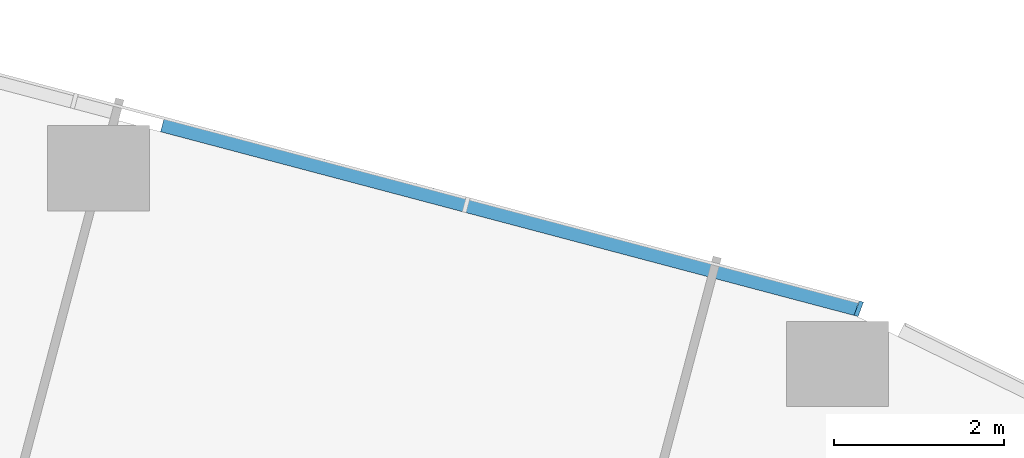
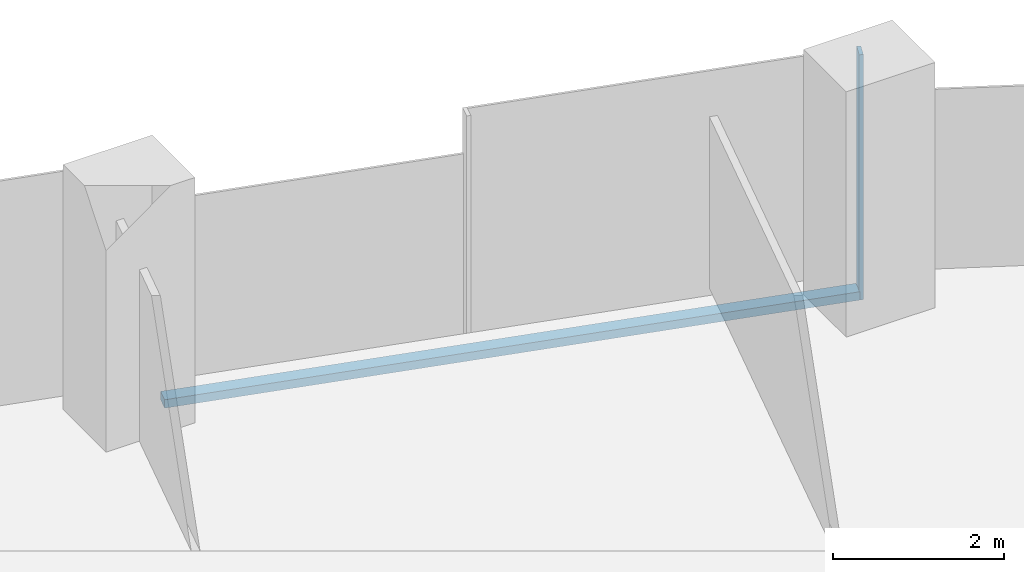
# One storey, part 15 of 35: 2 members, 2 elements without a shape of their own.
"""IFC4 building model written with IfcOpenShell, lengths in metres."""

from ifc_helpers import new_model, si_unit, direction, frame, origin, origin_2d, place, context, subcontext, project, spatial, rectangle, extrude, material, material_profile, profile_set, type_object, element, aggregate, save


model = new_model("IFC4")

# Units and contexts
model_context = context("Model", 3, precision=1e-05, world=origin(), true_north=direction((0.0, 1.0)))
body_context = subcontext(model_context, "Body", "Model", "MODEL_VIEW")
ifc_project = project(units=[si_unit("LENGTHUNIT", "METRE"), si_unit("AREAUNIT", "SQUARE_METRE"), si_unit("VOLUMEUNIT", "CUBIC_METRE"), si_unit("PLANEANGLEUNIT", "RADIAN"), si_unit("MASSUNIT", "GRAM", prefix="KILO")], contexts=[model_context])

# Site, building, storey
site_placement = place(None, origin())
site = spatial("IfcSite", under=ifc_project, at=site_placement, CompositionType="ELEMENT")
building_placement = place(site_placement, origin())
building = spatial("IfcBuilding", under=site, at=building_placement, Name="Orlundy Tower", CompositionType="ELEMENT")
storey_placement = place(building_placement, frame((0.0, 0.0, 116.199951171875)))
storey = spatial("IfcBuildingStorey", under=building, at=storey_placement, Name="L29", CompositionType="ELEMENT", Elevation=116.199951171875)

# Curtain wall, member
ifc_material_1 = material(Name="Aluminium bronze anodised", Category="aluminium")
curtain_wall_type = type_object("IfcCurtainWallType", Name="CW1 wall", PredefinedType="NOTDEFINED", material=ifc_material_1)
curtain_wall_1_placement = place(storey_placement, origin())
curtain_wall_1 = element("IfcCurtainWall", 1, at=curtain_wall_1_placement, inside=storey, type_object=curtain_wall_type, Name="CW1 run 019", PredefinedType="NOTDEFINED")
ifc_material_2 = material(Name="Aluminium bronze anodised", Category="aluminium")
ifc_material_profile_1 = material_profile(ifc_material_2, rectangle(XDim=0.179931640625, YDim=0.050048828125, at=origin_2d()), Name="CW1 mullion 50x180")
ifc_profile_set_1 = profile_set([ifc_material_profile_1], Name="Aluminium bronze anodised")
member_type_1 = type_object("IfcMemberType", Name="CW1 mullion 50x180", PredefinedType="MULLION", material=ifc_profile_set_1)
member_1_placement = place(storey_placement, frame((54.45263671875, 6.36181640625, -0.39990234375), z_axis=(0.0, 0.0, 1.0), x_axis=(0.349570337809, 0.936910123184, 0.0)))
member_1 = element("IfcMember", 2, at=member_1_placement, type_object=member_type_1, Name="CW1 mullion 57", PredefinedType="MULLION", context=body_context, shape_type="SweptSolid", body=[
    extrude(rectangle(XDim=0.179931640625, YDim=0.050048828125, at=origin_2d()), origin(), (0.0, 0.0, 1.0), 3.5),
])
aggregate(curtain_wall_1, [member_1])

curtain_wall_2_placement = place(storey_placement, origin())
curtain_wall_2 = element("IfcCurtainWall", 3, at=curtain_wall_2_placement, inside=storey, type_object=curtain_wall_type, Name="CW1 run 018", PredefinedType="NOTDEFINED")
ifc_material_3 = material(Name="Aluminium bronze anodised", Category="aluminium")
ifc_material_profile_2 = material_profile(ifc_material_3, rectangle(XDim=0.179931640625, YDim=0.1201171875, at=origin_2d()), Name="CW1 transom 180x120")
ifc_profile_set_2 = profile_set([ifc_material_profile_2], Name="Aluminium bronze anodised")
member_type_2 = type_object("IfcMemberType", Name="CW1 transom 180x120", PredefinedType="USERDEFINED", material=ifc_profile_set_2)
member_2_placement = place(storey_placement, frame((46.284912109375, 8.52490234375, -0.33984375), z_axis=(0.96667127117, -0.256020806761, 0.0), x_axis=(0.256020806761, 0.96667127117, 0.0)))
member_2 = element("IfcMember", 4, at=member_2_placement, type_object=member_type_2, Name="CW1 transom", ObjectType="TRANSOM", PredefinedType="USERDEFINED", context=body_context, shape_type="SweptSolid", body=[
    extrude(rectangle(XDim=0.179931640625, YDim=0.1201171875, at=origin_2d()), origin(), (0.0, 0.0, 1.0), 8.424072265625),
])
aggregate(curtain_wall_2, [member_2])

save(model, "model.ifc")
